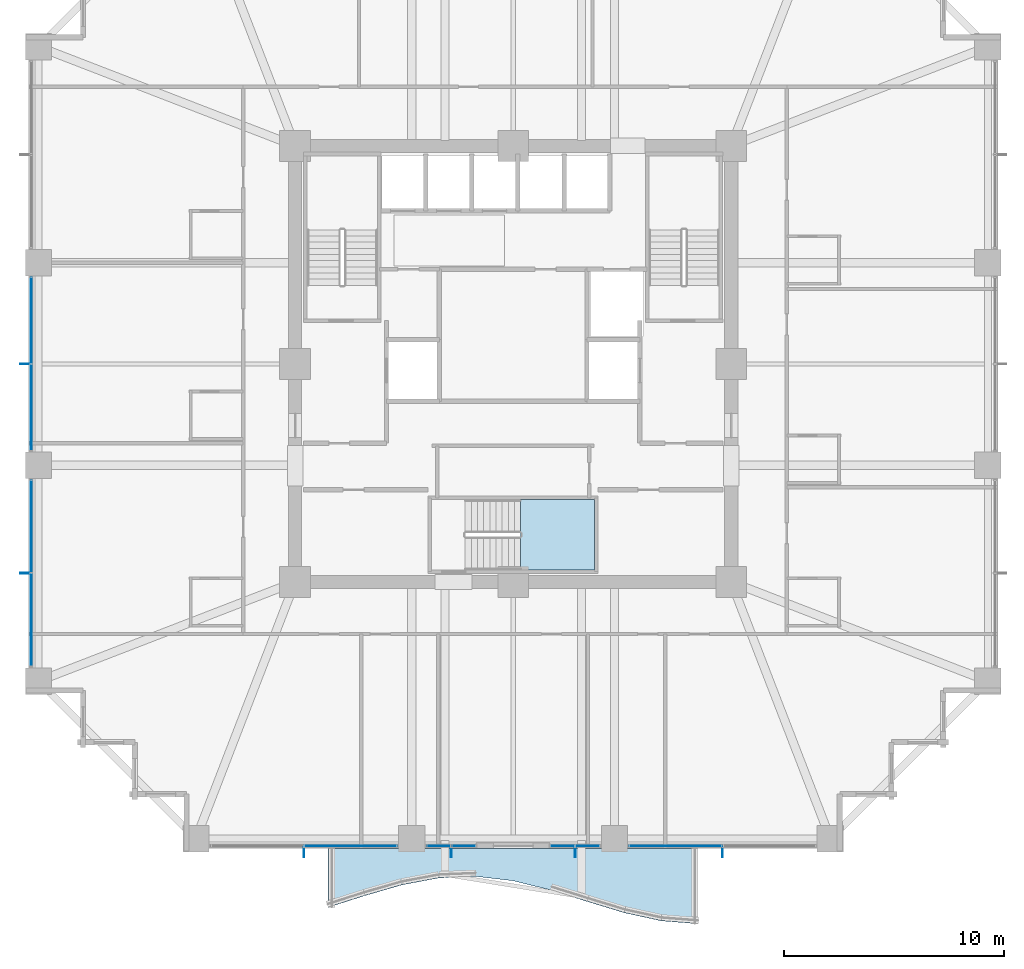
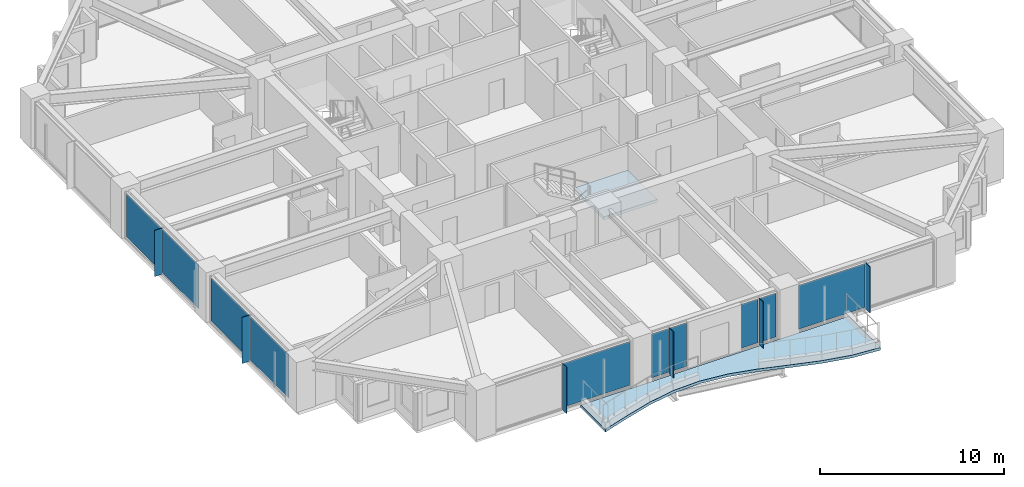
# One storey, part 27 of 38: 16 plates, 2 slabs, 7 elements without a shape of their own.
"""IFC4 building model written with IfcOpenShell, lengths in metres."""

from ifc_helpers import new_model, si_unit, direction, frame, origin, origin_2d, place, context, subcontext, project, spatial, polyline, rectangle, outline, extrude, material, layer, layer_set, type_object, element, aggregate, save


model = new_model("IFC4")

# Units and contexts
model_context = context("Model", 3, precision=1e-05, world=origin(), true_north=direction((0.0, 1.0)))
body_context = subcontext(model_context, "Body", "Model", "MODEL_VIEW")
ifc_project = project(units=[si_unit("LENGTHUNIT", "METRE"), si_unit("AREAUNIT", "SQUARE_METRE"), si_unit("VOLUMEUNIT", "CUBIC_METRE"), si_unit("PLANEANGLEUNIT", "RADIAN"), si_unit("MASSUNIT", "GRAM", prefix="KILO")], contexts=[model_context])

# Site, building, storey
site_placement = place(None, origin())
site = spatial("IfcSite", under=ifc_project, at=site_placement, CompositionType="ELEMENT")
building_placement = place(site_placement, origin())
building = spatial("IfcBuilding", under=site, at=building_placement, Name="Kolvaren Belvedere", CompositionType="ELEMENT")
storey_placement = place(building_placement, frame((0.0, 0.0, 27.10009765625)))
storey = spatial("IfcBuildingStorey", under=building, at=storey_placement, Name="L07", CompositionType="ELEMENT", Elevation=27.10009765625)

# Curtain wall, plate
ifc_material_1 = material(Name="Anodised pale-metal aluminium AA 6063-T6", Category="aluminium")
curtain_wall_type = type_object("IfcCurtainWallType", Name="CW-Z1-LOW", PredefinedType="NOTDEFINED", material=ifc_material_1)
curtain_wall_1_placement = place(storey_placement, origin())
curtain_wall_1 = element("IfcCurtainWall", 1, at=curtain_wall_1_placement, inside=storey, type_object=curtain_wall_type, Name="L07 Unitised Curtain Wall FCW-L07-S1-B1", PredefinedType="NOTDEFINED")
ifc_material_2 = material(Name="Low-iron triple insulated glass", Category="glass")
ifc_layer_1 = layer(ifc_material_2, 0.028076171875)
ifc_layer_set_1 = layer_set([ifc_layer_1], Name="Low-iron triple insulated glass")
plate_type_1 = type_object("IfcPlateType", Name="CW-PNL-VIS28", PredefinedType="CURTAIN_PANEL", material=ifc_layer_set_1)
plate_1_placement = place(storey_placement, frame((7.37744140625, -21.8798828125, 0.079833984375), z_axis=(0.0, 0.0, 1.0), x_axis=(-1.0, 0.0, 0.0)))
plate_1 = element("IfcPlate", 2, at=plate_1_placement, type_object=plate_type_1, Name="FCW-L07-S1-B1 Vision Glazing Panel 2", PredefinedType="CURTAIN_PANEL", context=body_context, shape_type="SweptSolid", body=[
    extrude(rectangle(XDim=4.1650390625, YDim=0.028076171875, at=origin_2d()), origin(), (0.0, 0.0, 1.0), 2.89990234375),
])
aggregate(curtain_wall_1, [plate_1])

# Curtain wall, plates
curtain_wall_2_placement = place(storey_placement, origin())
curtain_wall_2 = element("IfcCurtainWall", 3, at=curtain_wall_2_placement, inside=storey, type_object=curtain_wall_type, Name="L07 Unitised Curtain Wall FCW-L07-S1-B2", PredefinedType="NOTDEFINED")
plate_2_placement = place(storey_placement, frame((3.37890625, -21.8798828125, 0.079833984375), z_axis=(0.0, 0.0, 1.0), x_axis=(-1.0, 0.0, 0.0)))
plate_2 = element("IfcPlate", 4, at=plate_2_placement, type_object=plate_type_1, Name="FCW-L07-S1-B2 Vision Glazing Panel 1", PredefinedType="CURTAIN_PANEL", context=body_context, shape_type="SweptSolid", body=[
    extrude(rectangle(XDim=1.052490234375, YDim=0.028076171875, at=origin_2d()), origin(), (0.0, 0.0, 1.0), 2.89990234375),
])
plate_3_placement = place(storey_placement, frame((2.24609375, -21.8798828125, 0.079833984375), z_axis=(0.0, 0.0, 1.0), x_axis=(-1.0, 0.0, 0.0)))
plate_3 = element("IfcPlate", 5, at=plate_3_placement, type_object=plate_type_1, Name="FCW-L07-S1-B2 Vision Glazing Panel 2", PredefinedType="CURTAIN_PANEL", context=body_context, shape_type="SweptSolid", body=[
    extrude(rectangle(XDim=1.052490234375, YDim=0.028076171875, at=origin_2d()), origin(), (0.0, 0.0, 1.0), 2.89990234375),
])
aggregate(curtain_wall_2, [plate_2, plate_3])

curtain_wall_3_placement = place(storey_placement, origin())
curtain_wall_3 = element("IfcCurtainWall", 6, at=curtain_wall_3_placement, inside=storey, type_object=curtain_wall_type, Name="L07 Unitised Curtain Wall FCW-L07-S2-B1", PredefinedType="NOTDEFINED")
plate_4_placement = place(storey_placement, frame((-2.24609375, -21.8798828125, 0.079833984375), z_axis=(0.0, 0.0, 1.0), x_axis=(-1.0, 0.0, 0.0)))
plate_4 = element("IfcPlate", 7, at=plate_4_placement, type_object=plate_type_1, Name="FCW-L07-S2-B1 Vision Glazing Panel 1", PredefinedType="CURTAIN_PANEL", context=body_context, shape_type="SweptSolid", body=[
    extrude(rectangle(XDim=1.052490234375, YDim=0.028076171875, at=origin_2d()), origin(), (0.0, 0.0, 1.0), 2.89990234375),
])
plate_5_placement = place(storey_placement, frame((-3.378662109375, -21.8798828125, 0.079833984375), z_axis=(0.0, 0.0, 1.0), x_axis=(-1.0, 0.0, 0.0)))
plate_5 = element("IfcPlate", 8, at=plate_5_placement, type_object=plate_type_1, Name="FCW-L07-S2-B1 Vision Glazing Panel 2", PredefinedType="CURTAIN_PANEL", context=body_context, shape_type="SweptSolid", body=[
    extrude(rectangle(XDim=1.052490234375, YDim=0.028076171875, at=origin_2d()), origin(), (0.0, 0.0, 1.0), 2.89990234375),
])
aggregate(curtain_wall_3, [plate_4, plate_5])

# Curtain wall, plate
curtain_wall_4_placement = place(storey_placement, origin())
curtain_wall_4 = element("IfcCurtainWall", 9, at=curtain_wall_4_placement, inside=storey, type_object=curtain_wall_type, Name="L07 Unitised Curtain Wall FCW-L07-S2-B2", PredefinedType="NOTDEFINED")
plate_6_placement = place(storey_placement, frame((-7.37744140625, -21.8798828125, 0.079833984375), z_axis=(0.0, 0.0, 1.0), x_axis=(-1.0, 0.0, 0.0)))
plate_6 = element("IfcPlate", 10, at=plate_6_placement, type_object=plate_type_1, Name="FCW-L07-S2-B2 Vision Glazing Panel 1", PredefinedType="CURTAIN_PANEL", context=body_context, shape_type="SweptSolid", body=[
    extrude(rectangle(XDim=4.1650390625, YDim=0.028076171875, at=origin_2d()), origin(), (0.0, 0.0, 1.0), 2.89990234375),
])
aggregate(curtain_wall_4, [plate_6])

# Curtain wall, plates
curtain_wall_5_placement = place(storey_placement, origin())
curtain_wall_5 = element("IfcCurtainWall", 11, at=curtain_wall_5_placement, inside=storey, type_object=curtain_wall_type, Name="L07 Unitised Curtain Wall FCW-L07-W-B1", PredefinedType="NOTDEFINED")
plate_7_placement = place(storey_placement, frame((-21.8798828125, -11.62255859375, 0.079833984375), z_axis=(0.0, 0.0, 1.0), x_axis=(0.0, 1.0, 0.0)))
plate_7 = element("IfcPlate", 12, at=plate_7_placement, type_object=plate_type_1, Name="FCW-L07-W-B1 Vision Glazing Panel 1", PredefinedType="CURTAIN_PANEL", context=body_context, shape_type="SweptSolid", body=[
    extrude(rectangle(XDim=4.1650390625, YDim=0.028076171875, at=origin_2d()), origin(), (0.0, 0.0, 1.0), 2.89990234375),
])
plate_8_placement = place(storey_placement, frame((-21.8798828125, -7.37744140625, 0.079833984375), z_axis=(0.0, 0.0, 1.0), x_axis=(0.0, 1.0, 0.0)))
plate_8 = element("IfcPlate", 13, at=plate_8_placement, type_object=plate_type_1, Name="FCW-L07-W-B1 Vision Glazing Panel 2", PredefinedType="CURTAIN_PANEL", context=body_context, shape_type="SweptSolid", body=[
    extrude(rectangle(XDim=4.1650390625, YDim=0.028076171875, at=origin_2d()), origin(), (0.0, 0.0, 1.0), 2.89990234375),
])
aggregate(curtain_wall_5, [plate_7, plate_8])

curtain_wall_6_placement = place(storey_placement, origin())
curtain_wall_6 = element("IfcCurtainWall", 14, at=curtain_wall_6_placement, inside=storey, type_object=curtain_wall_type, Name="L07 Unitised Curtain Wall FCW-L07-W-B2", PredefinedType="NOTDEFINED")
plate_9_placement = place(storey_placement, frame((-21.8798828125, -1.972412109375, 0.079833984375), z_axis=(0.0, 0.0, 1.0), x_axis=(0.0, 1.0, 0.0)))
plate_9 = element("IfcPlate", 15, at=plate_9_placement, type_object=plate_type_1, Name="FCW-L07-W-B2 Vision Glazing Panel 1", PredefinedType="CURTAIN_PANEL", context=body_context, shape_type="SweptSolid", body=[
    extrude(rectangle(XDim=3.864990234375, YDim=0.028076171875, at=origin_2d()), origin(), (0.0, 0.0, 1.0), 2.89990234375),
])
plate_10_placement = place(storey_placement, frame((-21.8798828125, 1.972412109375, 0.079833984375), z_axis=(0.0, 0.0, 1.0), x_axis=(0.0, 1.0, 0.0)))
plate_10 = element("IfcPlate", 16, at=plate_10_placement, type_object=plate_type_1, Name="FCW-L07-W-B2 Vision Glazing Panel 2", PredefinedType="CURTAIN_PANEL", context=body_context, shape_type="SweptSolid", body=[
    extrude(rectangle(XDim=3.864990234375, YDim=0.028076171875, at=origin_2d()), origin(), (0.0, 0.0, 1.0), 2.89990234375),
])
aggregate(curtain_wall_6, [plate_9, plate_10])

# Plates
ifc_material_3 = material(Name="Anodised pale-metal aluminium AA 6063-T6", Category="aluminium")
ifc_layer_2 = layer(ifc_material_3, 0.0380859375)
ifc_layer_set_2 = layer_set([ifc_layer_2], Name="Anodised pale-metal aluminium AA 6063-T6")
plate_type_2 = type_object("IfcPlateType", Name="FIN-VERT-450", PredefinedType="USERDEFINED", material=ifc_layer_set_2)
for number, where, z_axis, x_axis, name in (
    (17, (9.5, -22.1650390625, -0.000244140625), (0.0, 0.0, 1.0), (0.0, 1.0, 0.0), "L07 Pale-Metal Vertical Shading Fin FCW-L07-S1-B1-1"),
    (18, (2.8125, -22.1650390625, -0.000244140625), (0.0, 0.0, 1.0), (0.0, 1.0, 0.0), "L07 Pale-Metal Vertical Shading Fin FCW-L07-S1-B2-1"),
    (19, (-2.8125, -22.1650390625, -0.000244140625), (0.0, 0.0, 1.0), (0.0, 1.0, 0.0), "L07 Pale-Metal Vertical Shading Fin FCW-L07-S2-B1-1"),
    (20, (-9.5, -22.1650390625, -0.000244140625), (0.0, 0.0, 1.0), (0.0, 1.0, 0.0), "L07 Pale-Metal Vertical Shading Fin FCW-L07-S2-B2-1"),
    (21, (-22.1650390625, -9.5, -0.000244140625), (0.0, 0.0, 1.0), (1.0, 0.0, 0.0), "L07 Pale-Metal Vertical Shading Fin FCW-L07-W-B1-1"),
    (22, (-22.1650390625, 0.0, -0.000244140625), (0.0, 0.0, 1.0), (1.0, 0.0, 0.0), "L07 Pale-Metal Vertical Shading Fin FCW-L07-W-B2-1"),
):
    element("IfcPlate", number, at=place(storey_placement, frame(where, z_axis=z_axis, x_axis=x_axis)), inside=storey, type_object=plate_type_2, Name=name, ObjectType="VERTICAL FIN", PredefinedType="USERDEFINED", context=body_context, shape_type="SweptSolid", body=[
        extrude(rectangle(XDim=0.449951171875, YDim=0.0380859375, at=origin_2d()), origin(), (0.0, 0.0, 1.0), 3.06005859375),
    ])

# Slab
ifc_material_4 = material(Name="Concrete C50/60", Category="concrete")
ifc_layer_3 = layer(ifc_material_4, 0.179931640625)
ifc_layer_set_3 = layer_set([ifc_layer_3], Name="Concrete C50/60")
slab_type_1 = type_object("IfcSlabType", Name="SL-BAL-180", PredefinedType="FLOOR", material=ifc_layer_set_3)
slab_1_placement = place(storey_placement, frame((0.0, 0.0, -0.239990234375)))
element("IfcSlab", 23, at=slab_1_placement, inside=storey, type_object=slab_type_1, Name="L07 Planted Balcony BAL-S", PredefinedType="FLOOR", context=body_context, shape_type="SweptSolid", body=[
    extrude(outline(polyline([(-8.39990234375, -24.673583984375), (-6.719970703125, -24.1376953125), (-5.0400390625, -23.651611328125), (-3.360107421875, -23.335693359375), (-1.679931640625, -23.2685546875), (0.0, -23.46630859375), (1.679931640625, -23.880126953125), (3.360107421875, -24.40771484375), (5.0400390625, -24.918701171875), (6.719970703125, -25.286376953125), (8.39990234375, -25.419921875), (8.39990234375, -22.0), (6.719970703125, -22.0), (5.0400390625, -22.0), (3.360107421875, -22.0), (1.679931640625, -22.0), (0.0, -22.0), (-1.679931640625, -22.0), (-3.360107421875, -22.0), (-5.0400390625, -22.0), (-6.719970703125, -22.0), (-8.39990234375, -22.0), (-8.39990234375, -24.673583984375)])), origin(), (0.0, 0.0, 1.0), 0.179931640625),
])

# Stair, slab
ifc_material_5 = material(Name="Concrete C50/60", Category="concrete")
stair_type = type_object("IfcStairType", Name="ST-CORE-1520", PredefinedType="HALF_TURN_STAIR", material=ifc_material_5)
stair_placement = place(storey_placement, origin())
stair = element("IfcStair", 24, at=stair_placement, inside=storey, type_object=stair_type, Name="L07 Protected Exit Stair ST-3", PredefinedType="HALF_TURN_STAIR")
ifc_material_6 = material(Name="Concrete C50/60", Category="concrete")
ifc_layer_4 = layer(ifc_material_6, 0.260009765625)
ifc_layer_set_4 = layer_set([ifc_layer_4], Name="Concrete C50/60")
slab_type_2 = type_object("IfcSlabType", Name="SL-LAND-260", PredefinedType="LANDING", material=ifc_layer_set_4)
slab_2_placement = place(storey_placement, frame((0.0, 0.0, 1.449951171875)))
slab_2 = element("IfcSlab", 25, at=slab_2_placement, type_object=slab_type_2, Name="ST-3 landing 1", PredefinedType="LANDING", context=body_context, shape_type="SweptSolid", body=[
    extrude(outline(polyline([(0.340087890625, -9.35009765625), (3.699951171875, -9.35009765625), (3.699951171875, -6.159912109375), (0.340087890625, -6.159912109375), (0.340087890625, -9.35009765625)])), origin(), (0.0, 0.0, 1.0), 0.199951171875),
])
aggregate(stair, [slab_2])

save(model, "model.ifc")
